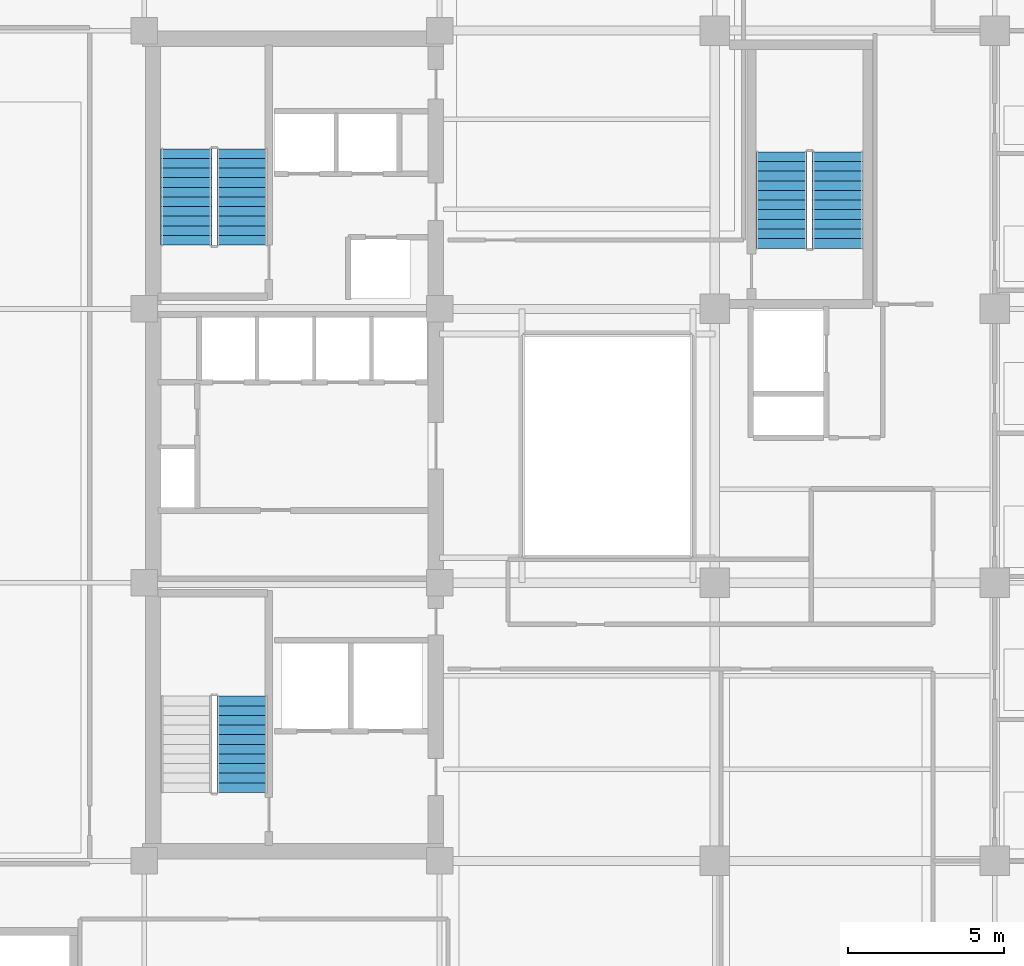
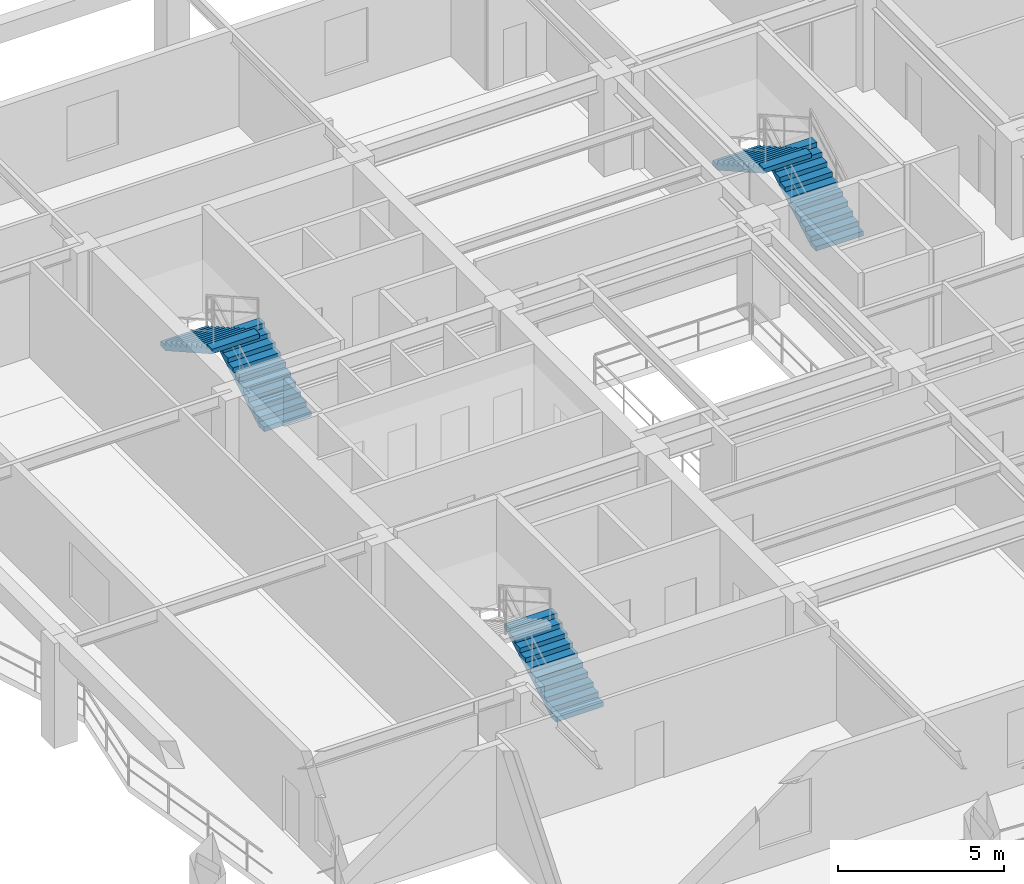
# One storey, part 7 of 13: 5 stair flights, 3 elements without a shape of their own.
"""IFC4 building model written with IfcOpenShell, lengths in metres."""

from ifc_helpers import new_model, si_unit, direction, frame, origin, place, context, subcontext, project, spatial, polyline, outline, extrude, material, type_object, element, aggregate, save


model = new_model("IFC4")

# Units and contexts
model_context = context("Model", 3, precision=1e-05, world=origin(), true_north=direction((0.0, 1.0)))
body_context = subcontext(model_context, "Body", "Model", "MODEL_VIEW")
ifc_project = project(units=[si_unit("LENGTHUNIT", "METRE"), si_unit("AREAUNIT", "SQUARE_METRE"), si_unit("VOLUMEUNIT", "CUBIC_METRE"), si_unit("PLANEANGLEUNIT", "RADIAN"), si_unit("MASSUNIT", "GRAM", prefix="KILO")], contexts=[model_context])

# Site, building, storey
site_placement = place(None, origin())
site = spatial("IfcSite", under=ifc_project, at=site_placement, CompositionType="ELEMENT")
building_placement = place(site_placement, origin())
building = spatial("IfcBuilding", under=site, at=building_placement, Name="Kundavana Baori Tower", CompositionType="ELEMENT")
storey_placement = place(building_placement, frame((0.0, 0.0, 184.85009765625)))
storey = spatial("IfcBuildingStorey", under=building, at=storey_placement, Name="L45", CompositionType="ELEMENT", Elevation=184.85009765625)

# Stair, stair flight
ifc_material_1 = material(Name="Concrete C40/50", Category="concrete")
stair_type = type_object("IfcStairType", Name="STR-DOG-1650", PredefinedType="HALF_TURN_STAIR", material=ifc_material_1)
stair_1_placement = place(storey_placement, origin())
stair_1 = element("IfcStair", 1, at=stair_1_placement, inside=storey, type_object=stair_type, Name="L45 Protected Exit Stair ST1", PredefinedType="HALF_TURN_STAIR")
ifc_material_2 = material(Name="Concrete C40/50", Category="concrete")
stair_flight_type = type_object("IfcStairFlightType", Name="SFL-RC-1650", PredefinedType="STRAIGHT", material=ifc_material_2)
stair_flight_1_placement = place(storey_placement, frame((18.614990234375, 17.449951171875, 0.0), z_axis=(0.0, 0.0, 1.0), x_axis=(0.0, 1.0, 0.0)))
stair_flight_1 = element("IfcStairFlight", 2, at=stair_flight_1_placement, type_object=stair_flight_type, Name="ST1 flight 1", NumberOfRisers=11, NumberOfTreads=10, PredefinedType="STRAIGHT", RiserHeight=0.175, TreadLength=0.31, context=body_context, shape_type="SweptSolid", body=[
    extrude(outline(polyline([(0.0, 0.0), (0.0, 0.175048828125), (0.31005859375, 0.175048828125), (0.31005859375, 0.35009765625), (0.6201171875, 0.35009765625), (0.6201171875, 0.52490234375), (0.929931640625, 0.52490234375), (0.929931640625, 0.699951171875), (1.239990234375, 0.699951171875), (1.239990234375, 0.875), (1.550048828125, 0.875), (1.550048828125, 1.050048828125), (1.860107421875, 1.050048828125), (1.860107421875, 1.22509765625), (2.169921875, 1.22509765625), (2.169921875, 1.39990234375), (2.47998046875, 1.39990234375), (2.47998046875, 1.574951171875), (2.7900390625, 1.574951171875), (2.7900390625, 1.75), (3.10009765625, 1.75), (3.10009765625, 1.925048828125), (3.10009765625, 1.577880859375), (0.304931640625, 0.0), (0.0, 0.0)])), frame((0.0, 0.824951171875, 0.0), z_axis=(0.0, -1.0, 0.0), x_axis=(1.0, 0.0, 0.0)), (0.0, 0.0, 1.0), 1.64990234375),
])
aggregate(stair_1, [stair_flight_1])

# Stair, stair flights
stair_2_placement = place(storey_placement, origin())
stair_2 = element("IfcStair", 3, at=stair_2_placement, inside=storey, type_object=stair_type, Name="L45 Protected Exit Stair ST2", PredefinedType="HALF_TURN_STAIR")
stair_flight_2_placement = place(storey_placement, frame((18.614990234375, 35.050048828125, 0.0), z_axis=(0.0, 0.0, 1.0), x_axis=(0.0, 1.0, 0.0)))
stair_flight_2 = element("IfcStairFlight", 4, at=stair_flight_2_placement, type_object=stair_flight_type, Name="ST2 flight 1", NumberOfRisers=11, NumberOfTreads=10, PredefinedType="STRAIGHT", RiserHeight=0.175, TreadLength=0.31, context=body_context, shape_type="SweptSolid", body=[
    extrude(outline(polyline([(0.0, 0.0), (0.0, 0.175048828125), (0.31005859375, 0.175048828125), (0.31005859375, 0.35009765625), (0.6201171875, 0.35009765625), (0.6201171875, 0.52490234375), (0.929931640625, 0.52490234375), (0.929931640625, 0.699951171875), (1.239990234375, 0.699951171875), (1.239990234375, 0.875), (1.550048828125, 0.875), (1.550048828125, 1.050048828125), (1.860107421875, 1.050048828125), (1.860107421875, 1.22509765625), (2.169921875, 1.22509765625), (2.169921875, 1.39990234375), (2.47998046875, 1.39990234375), (2.47998046875, 1.574951171875), (2.7900390625, 1.574951171875), (2.7900390625, 1.75), (3.10009765625, 1.75), (3.10009765625, 1.925048828125), (3.10009765625, 1.577880859375), (0.304931640625, 0.0), (0.0, 0.0)])), frame((0.0, 0.824951171875, 0.0), z_axis=(0.0, -1.0, 0.0), x_axis=(1.0, 0.0, 0.0)), (0.0, 0.0, 1.0), 1.64990234375),
])
stair_flight_3_placement = place(storey_placement, frame((16.804931640625, 38.14990234375, 1.9248046875), z_axis=(0.0, 0.0, 1.0), x_axis=(0.0, -1.0, 0.0)))
stair_flight_3 = element("IfcStairFlight", 5, at=stair_flight_3_placement, type_object=stair_flight_type, Name="ST2 flight 2", NumberOfRisers=11, NumberOfTreads=10, PredefinedType="STRAIGHT", RiserHeight=0.175, TreadLength=0.31, context=body_context, shape_type="SweptSolid", body=[
    extrude(outline(polyline([(0.0, 0.0), (0.0, 0.175048828125), (0.31005859375, 0.175048828125), (0.31005859375, 0.35009765625), (0.6201171875, 0.35009765625), (0.6201171875, 0.52490234375), (0.929931640625, 0.52490234375), (0.929931640625, 0.699951171875), (1.239990234375, 0.699951171875), (1.239990234375, 0.875), (1.550048828125, 0.875), (1.550048828125, 1.050048828125), (1.860107421875, 1.050048828125), (1.860107421875, 1.22509765625), (2.169921875, 1.22509765625), (2.169921875, 1.39990234375), (2.47998046875, 1.39990234375), (2.47998046875, 1.574951171875), (2.7900390625, 1.574951171875), (2.7900390625, 1.75), (3.10009765625, 1.75), (3.10009765625, 1.925048828125), (3.10009765625, 1.577880859375), (0.304931640625, 0.0), (0.0, 0.0)])), frame((0.0, 0.824951171875, 0.0), z_axis=(0.0, -1.0, 0.0), x_axis=(1.0, 0.0, 0.0)), (0.0, 0.0, 1.0), 1.64990234375),
])
aggregate(stair_2, [stair_flight_2, stair_flight_3])

stair_3_placement = place(storey_placement, origin())
stair_3 = element("IfcStair", 6, at=stair_3_placement, inside=storey, type_object=stair_type, Name="L45 Protected Exit Stair ST3", PredefinedType="HALF_TURN_STAIR")
stair_flight_4_placement = place(storey_placement, frame((37.7548828125, 34.949951171875, 0.0), z_axis=(0.0, 0.0, 1.0), x_axis=(0.0, 1.0, 0.0)))
stair_flight_4 = element("IfcStairFlight", 7, at=stair_flight_4_placement, type_object=stair_flight_type, Name="ST3 flight 1", NumberOfRisers=11, NumberOfTreads=10, PredefinedType="STRAIGHT", RiserHeight=0.175, TreadLength=0.31, context=body_context, shape_type="SweptSolid", body=[
    extrude(outline(polyline([(0.0, 0.0), (0.0, 0.175048828125), (0.31005859375, 0.175048828125), (0.31005859375, 0.35009765625), (0.6201171875, 0.35009765625), (0.6201171875, 0.52490234375), (0.929931640625, 0.52490234375), (0.929931640625, 0.699951171875), (1.239990234375, 0.699951171875), (1.239990234375, 0.875), (1.550048828125, 0.875), (1.550048828125, 1.050048828125), (1.860107421875, 1.050048828125), (1.860107421875, 1.22509765625), (2.169921875, 1.22509765625), (2.169921875, 1.39990234375), (2.47998046875, 1.39990234375), (2.47998046875, 1.574951171875), (2.7900390625, 1.574951171875), (2.7900390625, 1.75), (3.10009765625, 1.75), (3.10009765625, 1.925048828125), (3.10009765625, 1.577880859375), (0.304931640625, 0.0), (0.0, 0.0)])), frame((0.0, 0.824951171875, 0.0), z_axis=(0.0, -1.0, 0.0), x_axis=(1.0, 0.0, 0.0)), (0.0, 0.0, 1.0), 1.64990234375),
])
stair_flight_5_placement = place(storey_placement, frame((35.945068359375, 38.050048828125, 1.9248046875), z_axis=(0.0, 0.0, 1.0), x_axis=(0.0, -1.0, 0.0)))
stair_flight_5 = element("IfcStairFlight", 8, at=stair_flight_5_placement, type_object=stair_flight_type, Name="ST3 flight 2", NumberOfRisers=11, NumberOfTreads=10, PredefinedType="STRAIGHT", RiserHeight=0.175, TreadLength=0.31, context=body_context, shape_type="SweptSolid", body=[
    extrude(outline(polyline([(0.0, 0.0), (0.0, 0.175048828125), (0.31005859375, 0.175048828125), (0.31005859375, 0.35009765625), (0.6201171875, 0.35009765625), (0.6201171875, 0.52490234375), (0.929931640625, 0.52490234375), (0.929931640625, 0.699951171875), (1.239990234375, 0.699951171875), (1.239990234375, 0.875), (1.550048828125, 0.875), (1.550048828125, 1.050048828125), (1.860107421875, 1.050048828125), (1.860107421875, 1.22509765625), (2.169921875, 1.22509765625), (2.169921875, 1.39990234375), (2.47998046875, 1.39990234375), (2.47998046875, 1.574951171875), (2.7900390625, 1.574951171875), (2.7900390625, 1.75), (3.10009765625, 1.75), (3.10009765625, 1.925048828125), (3.10009765625, 1.577880859375), (0.304931640625, 0.0), (0.0, 0.0)])), frame((0.0, 0.824951171875, 0.0), z_axis=(0.0, -1.0, 0.0), x_axis=(1.0, 0.0, 0.0)), (0.0, 0.0, 1.0), 1.64990234375),
])
aggregate(stair_3, [stair_flight_4, stair_flight_5])

save(model, "model.ifc")
